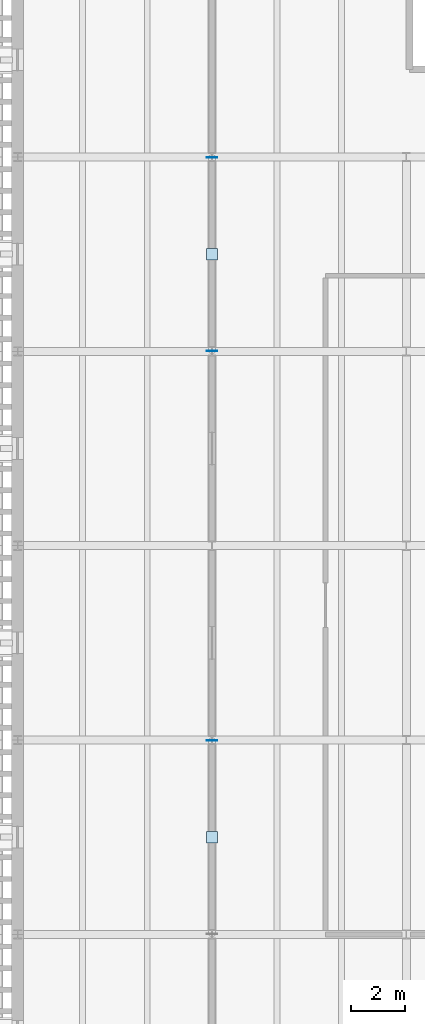
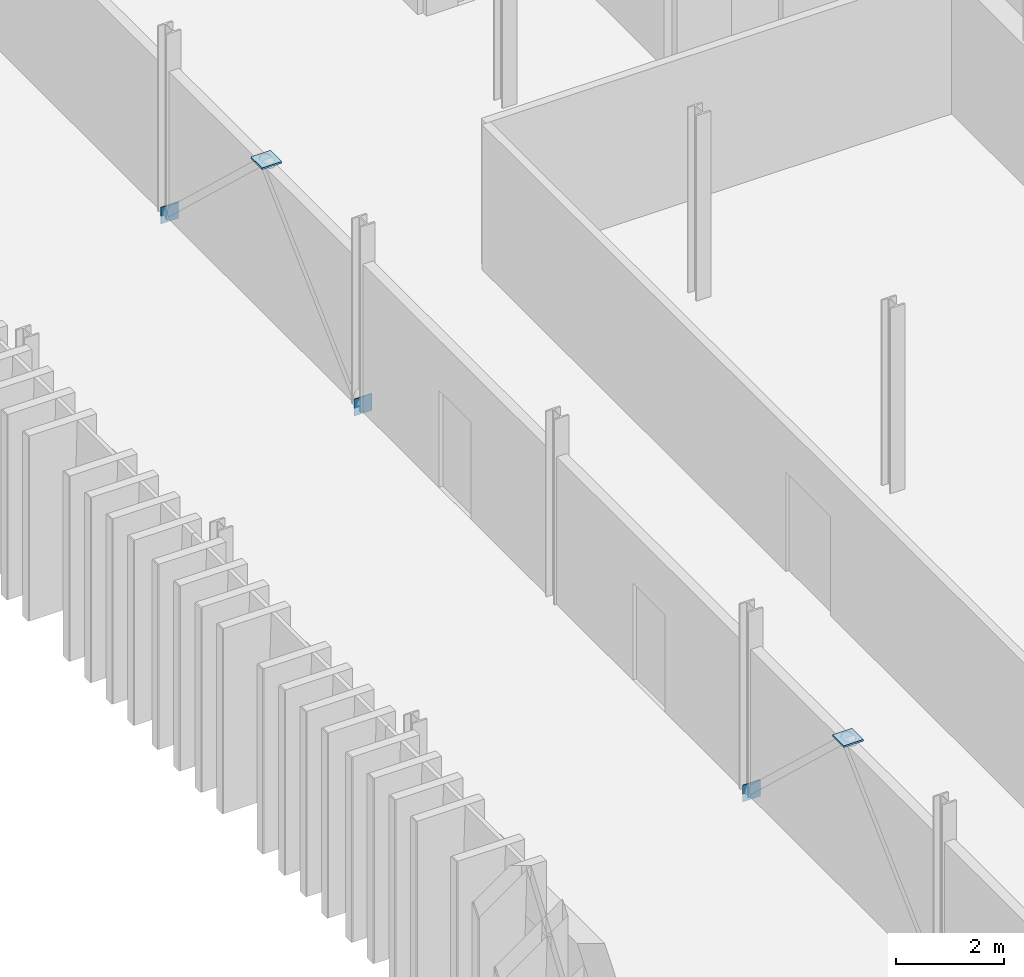
# One storey, part 61 of 115: 5 plates.
"""IFC4 building model written with IfcOpenShell, lengths in metres."""

from ifc_helpers import new_model, si_unit, direction, frame, origin, origin_2d, place, context, subcontext, project, spatial, rectangle, extrude, material, layer, layer_set, type_object, element, save


model = new_model("IFC4")

# Units and contexts
model_context = context("Model", 3, precision=1e-05, world=origin(), true_north=direction((0.0, 1.0)))
body_context = subcontext(model_context, "Body", "Model", "MODEL_VIEW")
ifc_project = project(units=[si_unit("LENGTHUNIT", "METRE"), si_unit("AREAUNIT", "SQUARE_METRE"), si_unit("VOLUMEUNIT", "CUBIC_METRE"), si_unit("PLANEANGLEUNIT", "RADIAN"), si_unit("MASSUNIT", "GRAM", prefix="KILO")], contexts=[model_context])

# Site, building, storey
site_placement = place(None, origin())
site = spatial("IfcSite", under=ifc_project, at=site_placement, CompositionType="ELEMENT")
building_placement = place(site_placement, origin())
building = spatial("IfcBuilding", under=site, at=building_placement, Name="Narikvali Park Central Library", CompositionType="ELEMENT")
storey_placement = place(building_placement, frame((0.0, 0.0, 10.199951171875)))
storey = spatial("IfcBuildingStorey", under=building, at=storey_placement, Name="L02", CompositionType="ELEMENT", Elevation=10.199951171875)

# Plates
ifc_material = material(Name="Steel S355", Category="steel")
ifc_layer_1 = layer(ifc_material, 0.013916015625, Name="Steel S355")
ifc_layer_set_1 = layer_set([ifc_layer_1], Name="Steel S355")
plate_type_1 = type_object("IfcPlateType", Name="Steel Hollow End Cap Plate 14", PredefinedType="SHEET", material=ifc_layer_set_1)
for number, where, z_axis, x_axis, name in (
    (1, (7.199951171875, 79.18798828125, -0.177490234375), (0.0, 0.0, 1.0), (1.0, 0.0, 0.0), "Hollow Section Steel End Cap BR-ECAP-1-L02-B0"),
    (2, (7.199951171875, 93.612060546875, -0.177490234375), (0.0, 0.0, 1.0), (-1.0, 0.0, 0.0), "Hollow Section Steel End Cap BR-ECAP-2-L02-A0"),
    (3, (7.199951171875, 100.787841796875, -0.177490234375), (0.0, 0.0, 1.0), (1.0, 0.0, 0.0), "Hollow Section Steel End Cap BR-ECAP-2-L02-B0"),
):
    element("IfcPlate", number, at=place(storey_placement, frame(where, z_axis=z_axis, x_axis=x_axis)), inside=storey, type_object=plate_type_1, Name=name, PredefinedType="SHEET", context=body_context, shape_type="SweptSolid", body=[
        extrude(rectangle(XDim=0.3798828125, YDim=0.013916015625, at=origin_2d()), origin(), (0.0, 0.0, 1.0), 0.3798828125),
    ])
ifc_layer_2 = layer(ifc_material, 0.0380859375, Name="Steel S355")
ifc_layer_set_2 = layer_set([ifc_layer_2], Name="Steel S355")
plate_type_2 = type_object("IfcPlateType", Name="Truss Splice Gusset Plate 38", PredefinedType="SHEET", material=ifc_layer_set_2)
for number, where, z_axis, x_axis, name in (
    (4, (7.199951171875, 75.60009765625, 3.361083984375), (0.0, 0.0, 1.0), (1.0, 0.0, 0.0), "V5 L02 Chevron Apex Gusset Cap Plate"),
    (5, (7.199951171875, 97.199951171875, 3.361083984375), (0.0, 0.0, 1.0), (1.0, 0.0, 0.0), "V5 L02 Chevron Apex Gusset Cap Plate"),
):
    element("IfcPlate", number, at=place(storey_placement, frame(where, z_axis=z_axis, x_axis=x_axis)), inside=storey, type_object=plate_type_2, Name=name, PredefinedType="SHEET", context=body_context, shape_type="SweptSolid", body=[
        extrude(rectangle(XDim=0.419921875, YDim=0.419921875, at=origin_2d()), origin(), (0.0, 0.0, 1.0), 0.0380859375),
    ])

save(model, "model.ifc")
